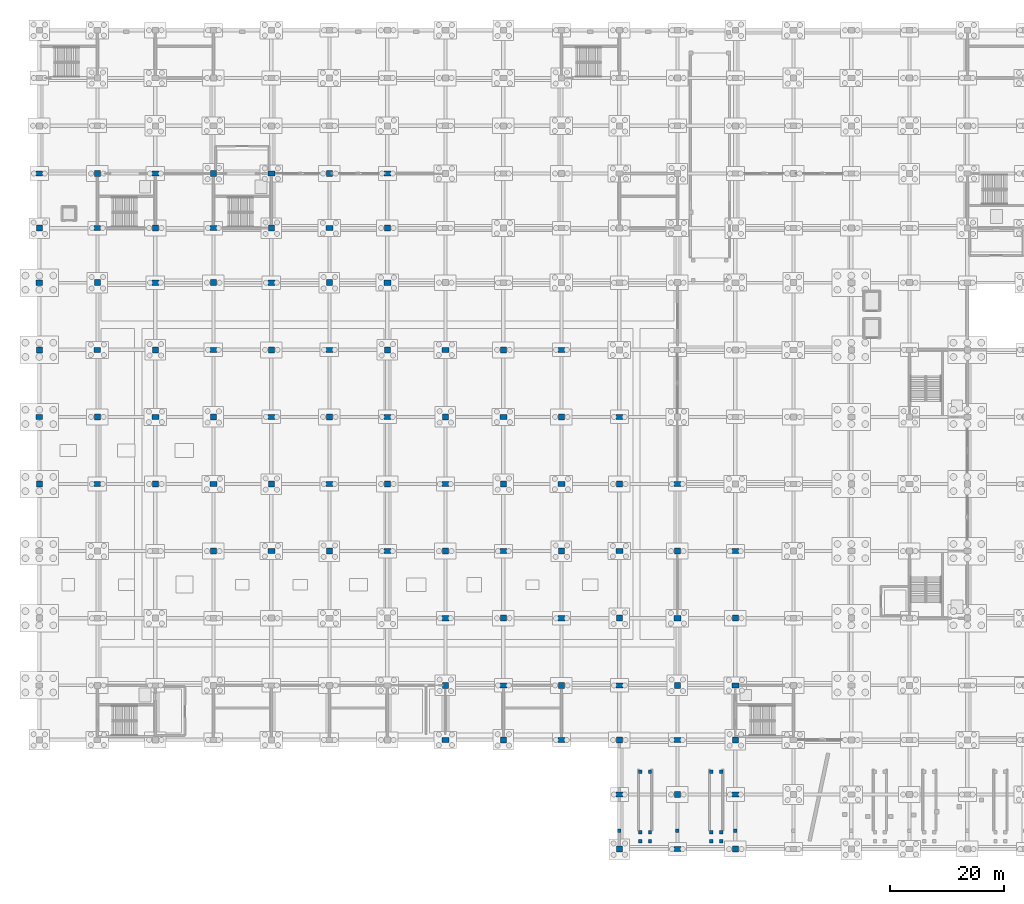
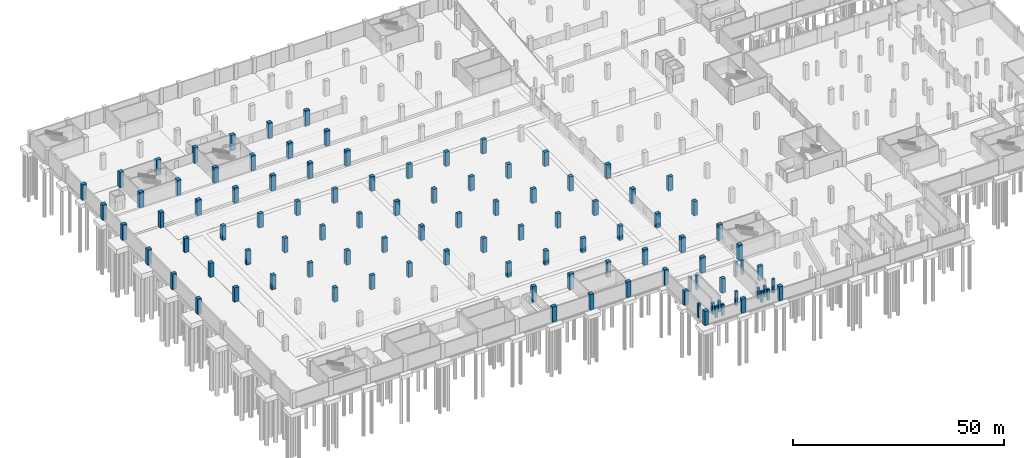
# One storey, part 22 of 52: 103 columns.
"""IFC4 building model written with IfcOpenShell, lengths in metres."""

from ifc_helpers import new_model, si_unit, direction, frame, origin, origin_2d, place, context, subcontext, project, spatial, rectangle, extrude, material, material_profile, profile_set, type_object, element, save


model = new_model("IFC4")

# Units and contexts
model_context = context("Model", 3, precision=1e-05, world=origin(), true_north=direction((0.0, 1.0)))
body_context = subcontext(model_context, "Body", "Model", "MODEL_VIEW")
ifc_project = project(units=[si_unit("LENGTHUNIT", "METRE"), si_unit("AREAUNIT", "SQUARE_METRE"), si_unit("VOLUMEUNIT", "CUBIC_METRE"), si_unit("PLANEANGLEUNIT", "RADIAN"), si_unit("MASSUNIT", "GRAM", prefix="KILO")], contexts=[model_context])

# Site, building, storey
site_placement = place(None, origin())
site = spatial("IfcSite", under=ifc_project, at=site_placement, CompositionType="ELEMENT")
building_placement = place(site_placement, origin())
building = spatial("IfcBuilding", under=site, at=building_placement, Name="Brelvane Convention Centre", CompositionType="ELEMENT")
storey_placement = place(building_placement, frame((0.0, 0.0, -4.5)))
storey = spatial("IfcBuildingStorey", under=building, at=storey_placement, Name="B1", CompositionType="ELEMENT", Elevation=-4.5)

# Columns
ifc_material_1 = material(Name="Concrete M50", Category="concrete")
ifc_material_profile_1 = material_profile(ifc_material_1, rectangle(XDim=1.050048828125, YDim=1.050048828125, at=origin_2d()), Name="RC 1050x1050")
ifc_profile_set_1 = profile_set([ifc_material_profile_1], Name="Concrete M50")
column_type_1 = type_object("IfcColumnType", Name="RC Column C-RC1 (RC 1050x1050)", PredefinedType="COLUMN", material=ifc_profile_set_1)
for number, where, z_axis, x_axis, name in (
    (1, (0.0, 64.199951171875, 0.0), (0.0, 0.0, 1.0), (1.0, 0.0, 0.0), "Column 1-G (B1)"),
    (2, (0.0, 87.800048828125, 0.0), (0.0, 0.0, 1.0), (1.0, 0.0, 0.0), "Column 1-J (B1)"),
    (3, (0.0, 109.199951171875, 0.0), (0.0, 0.0, 1.0), (1.0, 0.0, 0.0), "Column 1-L (B1)"),
):
    element("IfcColumn", number, at=place(storey_placement, frame(where, z_axis=z_axis, x_axis=x_axis)), inside=storey, type_object=column_type_1, Name=name, PredefinedType="COLUMN", context=body_context, shape_type="SweptSolid", body=[
        extrude(rectangle(XDim=1.050048828125, YDim=1.050048828125, at=origin_2d()), origin(), (0.0, 0.0, 1.0), 4.5),
    ])
column_1_placement = place(storey_placement, frame((10.199951171875, 76.0, 0.0), z_axis=(0.0, 0.0, 1.0), x_axis=(1.0, 0.0, 0.0)))
element("IfcColumn", 4, at=column_1_placement, inside=storey, type_object=column_type_1, Name="Column 2-H (B1)", PredefinedType="COLUMN", context=body_context, shape_type="SweptSolid", body=[
    extrude(rectangle(XDim=1.050048828125, YDim=1.050048828125, at=origin_2d()), origin(), (0.0, 0.0, 1.0), 4.1201171875),
])
for number, where, z_axis, x_axis, name in (
    (5, (10.199951171875, 99.60009765625, 0.0), (0.0, 0.0, 1.0), (1.0, 0.0, 0.0), "Column 2-K (B1)"),
    (6, (10.199951171875, 118.800048828125, 0.0), (0.0, 0.0, 1.0), (1.0, 0.0, 0.0), "Column 2-M (B1)"),
):
    element("IfcColumn", number, at=place(storey_placement, frame(where, z_axis=z_axis, x_axis=x_axis)), inside=storey, type_object=column_type_1, Name=name, PredefinedType="COLUMN", context=body_context, shape_type="SweptSolid", body=[
        extrude(rectangle(XDim=1.050048828125, YDim=1.050048828125, at=origin_2d()), origin(), (0.0, 0.0, 1.0), 4.5),
    ])
for number, where, z_axis, x_axis, name in (
    (7, (20.39990234375, 64.199951171875, 0.0), (0.0, 0.0, 1.0), (1.0, 0.0, 0.0), "Column 3-G (B1)"),
    (8, (20.39990234375, 87.800048828125, 0.0), (0.0, 0.0, 1.0), (1.0, 0.0, 0.0), "Column 3-J (B1)"),
):
    element("IfcColumn", number, at=place(storey_placement, frame(where, z_axis=z_axis, x_axis=x_axis)), inside=storey, type_object=column_type_1, Name=name, PredefinedType="COLUMN", context=body_context, shape_type="SweptSolid", body=[
        extrude(rectangle(XDim=1.050048828125, YDim=1.050048828125, at=origin_2d()), origin(), (0.0, 0.0, 1.0), 4.1201171875),
    ])
column_2_placement = place(storey_placement, frame((20.39990234375, 109.199951171875, 0.0), z_axis=(0.0, 0.0, 1.0), x_axis=(1.0, 0.0, 0.0)))
element("IfcColumn", 9, at=column_2_placement, inside=storey, type_object=column_type_1, Name="Column 3-L (B1)", PredefinedType="COLUMN", context=body_context, shape_type="SweptSolid", body=[
    extrude(rectangle(XDim=1.050048828125, YDim=1.050048828125, at=origin_2d()), origin(), (0.0, 0.0, 1.0), 4.5),
])
for number, where, z_axis, x_axis, name in (
    (10, (30.60009765625, 52.39990234375, 0.0), (0.0, 0.0, 1.0), (1.0, 0.0, 0.0), "Column 4-F (B1)"),
    (11, (30.60009765625, 76.0, 0.0), (0.0, 0.0, 1.0), (1.0, 0.0, 0.0), "Column 4-H (B1)"),
):
    element("IfcColumn", number, at=place(storey_placement, frame(where, z_axis=z_axis, x_axis=x_axis)), inside=storey, type_object=column_type_1, Name=name, PredefinedType="COLUMN", context=body_context, shape_type="SweptSolid", body=[
        extrude(rectangle(XDim=1.050048828125, YDim=1.050048828125, at=origin_2d()), origin(), (0.0, 0.0, 1.0), 4.1201171875),
    ])
for number, where, z_axis, x_axis, name in (
    (12, (30.60009765625, 99.60009765625, 0.0), (0.0, 0.0, 1.0), (1.0, 0.0, 0.0), "Column 4-K (B1)"),
    (13, (30.60009765625, 118.800048828125, 0.0), (0.0, 0.0, 1.0), (1.0, 0.0, 0.0), "Column 4-M (B1)"),
):
    element("IfcColumn", number, at=place(storey_placement, frame(where, z_axis=z_axis, x_axis=x_axis)), inside=storey, type_object=column_type_1, Name=name, PredefinedType="COLUMN", context=body_context, shape_type="SweptSolid", body=[
        extrude(rectangle(XDim=1.050048828125, YDim=1.050048828125, at=origin_2d()), origin(), (0.0, 0.0, 1.0), 4.5),
    ])
for number, where, z_axis, x_axis, name in (
    (14, (40.800048828125, 64.199951171875, 0.0), (0.0, 0.0, 1.0), (1.0, 0.0, 0.0), "Column 5-G (B1)"),
    (15, (40.800048828125, 87.800048828125, 0.0), (0.0, 0.0, 1.0), (1.0, 0.0, 0.0), "Column 5-J (B1)"),
):
    element("IfcColumn", number, at=place(storey_placement, frame(where, z_axis=z_axis, x_axis=x_axis)), inside=storey, type_object=column_type_1, Name=name, PredefinedType="COLUMN", context=body_context, shape_type="SweptSolid", body=[
        extrude(rectangle(XDim=1.050048828125, YDim=1.050048828125, at=origin_2d()), origin(), (0.0, 0.0, 1.0), 4.1201171875),
    ])
column_3_placement = place(storey_placement, frame((40.800048828125, 109.199951171875, 0.0), z_axis=(0.0, 0.0, 1.0), x_axis=(1.0, 0.0, 0.0)))
element("IfcColumn", 16, at=column_3_placement, inside=storey, type_object=column_type_1, Name="Column 5-L (B1)", PredefinedType="COLUMN", context=body_context, shape_type="SweptSolid", body=[
    extrude(rectangle(XDim=1.050048828125, YDim=1.050048828125, at=origin_2d()), origin(), (0.0, 0.0, 1.0), 4.5),
])
for number, where, z_axis, x_axis, name in (
    (17, (51.0, 52.39990234375, 0.0), (0.0, 0.0, 1.0), (1.0, 0.0, 0.0), "Column 6-F (B1)"),
    (18, (51.0, 76.0, 0.0), (0.0, 0.0, 1.0), (1.0, 0.0, 0.0), "Column 6-H (B1)"),
):
    element("IfcColumn", number, at=place(storey_placement, frame(where, z_axis=z_axis, x_axis=x_axis)), inside=storey, type_object=column_type_1, Name=name, PredefinedType="COLUMN", context=body_context, shape_type="SweptSolid", body=[
        extrude(rectangle(XDim=1.050048828125, YDim=1.050048828125, at=origin_2d()), origin(), (0.0, 0.0, 1.0), 4.1201171875),
    ])
for number, where, z_axis, x_axis, name in (
    (19, (51.0, 99.60009765625, 0.0), (0.0, 0.0, 1.0), (1.0, 0.0, 0.0), "Column 6-K (B1)"),
    (20, (51.0, 118.800048828125, 0.0), (0.0, 0.0, 1.0), (1.0, 0.0, 0.0), "Column 6-M (B1)"),
):
    element("IfcColumn", number, at=place(storey_placement, frame(where, z_axis=z_axis, x_axis=x_axis)), inside=storey, type_object=column_type_1, Name=name, PredefinedType="COLUMN", context=body_context, shape_type="SweptSolid", body=[
        extrude(rectangle(XDim=1.050048828125, YDim=1.050048828125, at=origin_2d()), origin(), (0.0, 0.0, 1.0), 4.5),
    ])
for number, where, z_axis, x_axis, name in (
    (21, (61.199951171875, 64.199951171875, 0.0), (0.0, 0.0, 1.0), (1.0, 0.0, 0.0), "Column 7-G (B1)"),
    (22, (61.199951171875, 87.800048828125, 0.0), (0.0, 0.0, 1.0), (1.0, 0.0, 0.0), "Column 7-J (B1)"),
):
    element("IfcColumn", number, at=place(storey_placement, frame(where, z_axis=z_axis, x_axis=x_axis)), inside=storey, type_object=column_type_1, Name=name, PredefinedType="COLUMN", context=body_context, shape_type="SweptSolid", body=[
        extrude(rectangle(XDim=1.050048828125, YDim=1.050048828125, at=origin_2d()), origin(), (0.0, 0.0, 1.0), 4.1201171875),
    ])
for number, where, z_axis, x_axis, name in (
    (23, (61.199951171875, 109.199951171875, 0.0), (0.0, 0.0, 1.0), (1.0, 0.0, 0.0), "Column 7-L (B1)"),
    (24, (71.39990234375, 28.800048828125, 0.0), (0.0, 0.0, 1.0), (1.0, 0.0, 0.0), "Column 8-D (B1)"),
):
    element("IfcColumn", number, at=place(storey_placement, frame(where, z_axis=z_axis, x_axis=x_axis)), inside=storey, type_object=column_type_1, Name=name, PredefinedType="COLUMN", context=body_context, shape_type="SweptSolid", body=[
        extrude(rectangle(XDim=1.050048828125, YDim=1.050048828125, at=origin_2d()), origin(), (0.0, 0.0, 1.0), 4.5),
    ])
for number, where, z_axis, x_axis, name in (
    (25, (71.39990234375, 52.39990234375, 0.0), (0.0, 0.0, 1.0), (1.0, 0.0, 0.0), "Column 8-F (B1)"),
    (26, (71.39990234375, 76.0, 0.0), (0.0, 0.0, 1.0), (1.0, 0.0, 0.0), "Column 8-H (B1)"),
):
    element("IfcColumn", number, at=place(storey_placement, frame(where, z_axis=z_axis, x_axis=x_axis)), inside=storey, type_object=column_type_1, Name=name, PredefinedType="COLUMN", context=body_context, shape_type="SweptSolid", body=[
        extrude(rectangle(XDim=1.050048828125, YDim=1.050048828125, at=origin_2d()), origin(), (0.0, 0.0, 1.0), 4.1201171875),
    ])
column_4_placement = place(storey_placement, frame((81.60009765625, 19.199951171875, 0.0), z_axis=(0.0, 0.0, 1.0), x_axis=(1.0, 0.0, 0.0)))
element("IfcColumn", 27, at=column_4_placement, inside=storey, type_object=column_type_1, Name="Column 9-C (B1)", PredefinedType="COLUMN", context=body_context, shape_type="SweptSolid", body=[
    extrude(rectangle(XDim=1.050048828125, YDim=1.050048828125, at=origin_2d()), origin(), (0.0, 0.0, 1.0), 4.5),
])
for number, where, z_axis, x_axis, name in (
    (28, (81.60009765625, 40.60009765625, 0.0), (0.0, 0.0, 1.0), (1.0, 0.0, 0.0), "Column 9-E (B1)"),
    (29, (81.60009765625, 64.199951171875, 0.0), (0.0, 0.0, 1.0), (1.0, 0.0, 0.0), "Column 9-G (B1)"),
    (30, (81.60009765625, 87.800048828125, 0.0), (0.0, 0.0, 1.0), (1.0, 0.0, 0.0), "Column 9-J (B1)"),
):
    element("IfcColumn", number, at=place(storey_placement, frame(where, z_axis=z_axis, x_axis=x_axis)), inside=storey, type_object=column_type_1, Name=name, PredefinedType="COLUMN", context=body_context, shape_type="SweptSolid", body=[
        extrude(rectangle(XDim=1.050048828125, YDim=1.050048828125, at=origin_2d()), origin(), (0.0, 0.0, 1.0), 4.1201171875),
    ])
column_5_placement = place(storey_placement, frame((91.800048828125, 28.800048828125, 0.0), z_axis=(0.0, 0.0, 1.0), x_axis=(1.0, 0.0, 0.0)))
element("IfcColumn", 31, at=column_5_placement, inside=storey, type_object=column_type_1, Name="Column 10-D (B1)", PredefinedType="COLUMN", context=body_context, shape_type="SweptSolid", body=[
    extrude(rectangle(XDim=1.050048828125, YDim=1.050048828125, at=origin_2d()), origin(), (0.0, 0.0, 1.0), 4.5),
])
for number, where, z_axis, x_axis, name in (
    (32, (91.800048828125, 52.39990234375, 0.0), (0.0, 0.0, 1.0), (1.0, 0.0, 0.0), "Column 10-F (B1)"),
    (33, (91.800048828125, 76.0, 0.0), (0.0, 0.0, 1.0), (1.0, 0.0, 0.0), "Column 10-H (B1)"),
):
    element("IfcColumn", number, at=place(storey_placement, frame(where, z_axis=z_axis, x_axis=x_axis)), inside=storey, type_object=column_type_1, Name=name, PredefinedType="COLUMN", context=body_context, shape_type="SweptSolid", body=[
        extrude(rectangle(XDim=1.050048828125, YDim=1.050048828125, at=origin_2d()), origin(), (0.0, 0.0, 1.0), 4.1201171875),
    ])
column_6_placement = place(storey_placement, frame((102.0, 0.0, 0.0), z_axis=(0.0, 0.0, 1.0), x_axis=(1.0, 0.0, 0.0)))
element("IfcColumn", 34, at=column_6_placement, inside=storey, type_object=column_type_1, Name="Column 11-A (B1)", PredefinedType="COLUMN", context=body_context, shape_type="SweptSolid", body=[
    extrude(rectangle(XDim=1.050048828125, YDim=1.050048828125, at=origin_2d()), origin(), (0.0, 0.0, 1.0), 4.10009765625),
])
column_7_placement = place(storey_placement, frame((102.0, 19.199951171875, 0.0), z_axis=(0.0, 0.0, 1.0), x_axis=(1.0, 0.0, 0.0)))
element("IfcColumn", 35, at=column_7_placement, inside=storey, type_object=column_type_1, Name="Column 11-C (B1)", PredefinedType="COLUMN", context=body_context, shape_type="SweptSolid", body=[
    extrude(rectangle(XDim=1.050048828125, YDim=1.050048828125, at=origin_2d()), origin(), (0.0, 0.0, 1.0), 4.5),
])
for number, where, z_axis, x_axis, name in (
    (36, (102.0, 40.60009765625, 0.0), (0.0, 0.0, 1.0), (1.0, 0.0, 0.0), "Column 11-E (B1)"),
    (37, (102.0, 64.199951171875, 0.0), (0.0, 0.0, 1.0), (1.0, 0.0, 0.0), "Column 11-G (B1)"),
):
    element("IfcColumn", number, at=place(storey_placement, frame(where, z_axis=z_axis, x_axis=x_axis)), inside=storey, type_object=column_type_1, Name=name, PredefinedType="COLUMN", context=body_context, shape_type="SweptSolid", body=[
        extrude(rectangle(XDim=1.050048828125, YDim=1.050048828125, at=origin_2d()), origin(), (0.0, 0.0, 1.0), 4.1201171875),
    ])
column_8_placement = place(storey_placement, frame((112.199951171875, 9.60009765625, 0.0), z_axis=(0.0, 0.0, 1.0), x_axis=(1.0, 0.0, 0.0)))
element("IfcColumn", 38, at=column_8_placement, inside=storey, type_object=column_type_1, Name="Column 12-B (B1)", PredefinedType="COLUMN", context=body_context, shape_type="SweptSolid", body=[
    extrude(rectangle(XDim=1.050048828125, YDim=1.050048828125, at=origin_2d()), origin(), (0.0, 0.0, 1.0), 4.10009765625),
])
column_9_placement = place(storey_placement, frame((112.199951171875, 28.800048828125, 0.0), z_axis=(0.0, 0.0, 1.0), x_axis=(1.0, 0.0, 0.0)))
element("IfcColumn", 39, at=column_9_placement, inside=storey, type_object=column_type_1, Name="Column 12-D (B1)", PredefinedType="COLUMN", context=body_context, shape_type="SweptSolid", body=[
    extrude(rectangle(XDim=1.050048828125, YDim=1.050048828125, at=origin_2d()), origin(), (0.0, 0.0, 1.0), 4.5),
])
column_10_placement = place(storey_placement, frame((112.199951171875, 52.39990234375, 0.0), z_axis=(0.0, 0.0, 1.0), x_axis=(1.0, 0.0, 0.0)))
element("IfcColumn", 40, at=column_10_placement, inside=storey, type_object=column_type_1, Name="Column 12-F (B1)", PredefinedType="COLUMN", context=body_context, shape_type="SweptSolid", body=[
    extrude(rectangle(XDim=1.050048828125, YDim=1.050048828125, at=origin_2d()), origin(), (0.0, 0.0, 1.0), 4.1201171875),
])
column_11_placement = place(storey_placement, frame((122.39990234375, 0.0, 0.0), z_axis=(0.0, 0.0, 1.0), x_axis=(1.0, 0.0, 0.0)))
element("IfcColumn", 41, at=column_11_placement, inside=storey, type_object=column_type_1, Name="Column 13-A (B1)", PredefinedType="COLUMN", context=body_context, shape_type="SweptSolid", body=[
    extrude(rectangle(XDim=1.050048828125, YDim=1.050048828125, at=origin_2d()), origin(), (0.0, 0.0, 1.0), 4.10009765625),
])
column_12_placement = place(storey_placement, frame((122.39990234375, 19.199951171875, 0.0), z_axis=(0.0, 0.0, 1.0), x_axis=(1.0, 0.0, 0.0)))
element("IfcColumn", 42, at=column_12_placement, inside=storey, type_object=column_type_1, Name="Column 13-C (B1)", PredefinedType="COLUMN", context=body_context, shape_type="SweptSolid", body=[
    extrude(rectangle(XDim=1.050048828125, YDim=1.050048828125, at=origin_2d()), origin(), (0.0, 0.0, 1.0), 4.5),
])
column_13_placement = place(storey_placement, frame((122.39990234375, 40.60009765625, 0.0), z_axis=(0.0, 0.0, 1.0), x_axis=(1.0, 0.0, 0.0)))
element("IfcColumn", 43, at=column_13_placement, inside=storey, type_object=column_type_1, Name="Column 13-E (B1)", PredefinedType="COLUMN", context=body_context, shape_type="SweptSolid", body=[
    extrude(rectangle(XDim=1.050048828125, YDim=1.050048828125, at=origin_2d()), origin(), (0.0, 0.0, 1.0), 4.1201171875),
])
ifc_material_2 = material(Name="Concrete M50", Category="concrete")
ifc_material_profile_2 = material_profile(ifc_material_2, rectangle(XDim=0.60009765625, YDim=0.60009765625, at=origin_2d()), Name="RC 600x600")
ifc_profile_set_2 = profile_set([ifc_material_profile_2], Name="Concrete M50")
column_type_2 = type_object("IfcColumnType", Name="RC Column C-RC4 (RC 600x600)", PredefinedType="COLUMN", material=ifc_profile_set_2)
for number, where, z_axis, x_axis, name in (
    (44, (102.0, 3.199951171875, 0.0), (0.0, 0.0, 1.0), (1.0, 0.0, 0.0), "Plaza Step Edge Column 1"),
    (45, (112.199951171875, 3.199951171875, 0.0), (0.0, 0.0, 1.0), (1.0, 0.0, 0.0), "Plaza Step Edge Column 2"),
    (46, (122.39990234375, 3.199951171875, 0.0), (0.0, 0.0, 1.0), (1.0, 0.0, 0.0), "Plaza Step Edge Column 3"),
):
    element("IfcColumn", number, at=place(storey_placement, frame(where, z_axis=z_axis, x_axis=x_axis)), inside=storey, type_object=column_type_2, Name=name, PredefinedType="COLUMN", context=body_context, shape_type="SweptSolid", body=[
        extrude(rectangle(XDim=0.60009765625, YDim=0.60009765625, at=origin_2d()), origin(), (0.0, 0.0, 1.0), 4.10009765625),
    ])
for number, where, z_axis, x_axis, name in (
    (47, (105.64990234375, 1.35009765625, 0.0), (0.0, 0.0, 1.0), (1.0, 0.0, 0.0), "Ramp AR-01 Bottom Pedestal 1"),
    (48, (107.389892578125, 1.35009765625, 0.0), (0.0, 0.0, 1.0), (1.0, 0.0, 0.0), "Ramp AR-01 Bottom Pedestal 2"),
    (49, (105.64990234375, 2.949951171875, 0.0), (0.0, 0.0, 1.0), (1.0, 0.0, 0.0), "Ramp AR-01 Bottom Pedestal 3"),
    (50, (107.389892578125, 2.949951171875, 0.0), (0.0, 0.0, 1.0), (1.0, 0.0, 0.0), "Ramp AR-01 Bottom Pedestal 4"),
):
    element("IfcColumn", number, at=place(storey_placement, frame(where, z_axis=z_axis, x_axis=x_axis)), inside=storey, type_object=column_type_2, Name=name, PredefinedType="COLUMN", context=body_context, shape_type="SweptSolid", body=[
        extrude(rectangle(XDim=0.60009765625, YDim=0.60009765625, at=origin_2d()), origin(), (0.0, 0.0, 1.0), 3.199951171875),
    ])
for number, where, z_axis, x_axis, name in (
    (51, (105.64990234375, 13.60009765625, 0.0), (0.0, 0.0, 1.0), (1.0, 0.0, 0.0), "Ramp AR-01 Top Pedestal 1"),
    (52, (107.389892578125, 13.60009765625, 0.0), (0.0, 0.0, 1.0), (1.0, 0.0, 0.0), "Ramp AR-01 Top Pedestal 2"),
):
    element("IfcColumn", number, at=place(storey_placement, frame(where, z_axis=z_axis, x_axis=x_axis)), inside=storey, type_object=column_type_2, Name=name, PredefinedType="COLUMN", context=body_context, shape_type="SweptSolid", body=[
        extrude(rectangle(XDim=0.60009765625, YDim=0.60009765625, at=origin_2d()), origin(), (0.0, 0.0, 1.0), 4.10009765625),
    ])
for number, where, z_axis, x_axis, name in (
    (53, (118.14990234375, 1.35009765625, 0.0), (0.0, 0.0, 1.0), (1.0, 0.0, 0.0), "Ramp AR-02 Bottom Pedestal 1"),
    (54, (119.889892578125, 1.35009765625, 0.0), (0.0, 0.0, 1.0), (1.0, 0.0, 0.0), "Ramp AR-02 Bottom Pedestal 2"),
    (55, (118.14990234375, 2.949951171875, 0.0), (0.0, 0.0, 1.0), (1.0, 0.0, 0.0), "Ramp AR-02 Bottom Pedestal 3"),
    (56, (119.889892578125, 2.949951171875, 0.0), (0.0, 0.0, 1.0), (1.0, 0.0, 0.0), "Ramp AR-02 Bottom Pedestal 4"),
):
    element("IfcColumn", number, at=place(storey_placement, frame(where, z_axis=z_axis, x_axis=x_axis)), inside=storey, type_object=column_type_2, Name=name, PredefinedType="COLUMN", context=body_context, shape_type="SweptSolid", body=[
        extrude(rectangle(XDim=0.60009765625, YDim=0.60009765625, at=origin_2d()), origin(), (0.0, 0.0, 1.0), 3.199951171875),
    ])
for number, where, z_axis, x_axis, name in (
    (57, (118.14990234375, 13.60009765625, 0.0), (0.0, 0.0, 1.0), (1.0, 0.0, 0.0), "Ramp AR-02 Top Pedestal 1"),
    (58, (119.889892578125, 13.60009765625, 0.0), (0.0, 0.0, 1.0), (1.0, 0.0, 0.0), "Ramp AR-02 Top Pedestal 2"),
):
    element("IfcColumn", number, at=place(storey_placement, frame(where, z_axis=z_axis, x_axis=x_axis)), inside=storey, type_object=column_type_2, Name=name, PredefinedType="COLUMN", context=body_context, shape_type="SweptSolid", body=[
        extrude(rectangle(XDim=0.60009765625, YDim=0.60009765625, at=origin_2d()), origin(), (0.0, 0.0, 1.0), 4.10009765625),
    ])
ifc_material_3 = material(Name="Concrete M50", Category="concrete")
ifc_material_profile_3 = material_profile(ifc_material_3, rectangle(XDim=1.199951171875, YDim=0.89990234375, at=origin_2d()), Name="RC 1200x900")
ifc_profile_set_3 = profile_set([ifc_material_profile_3], Name="Concrete M50")
column_type_3 = type_object("IfcColumnType", Name="RC Column C-RC5 (RC 1200x900)", PredefinedType="COLUMN", material=ifc_profile_set_3)
for number, where, z_axis, x_axis, name in (
    (59, (0.0, 76.0, 0.0), (0.0, 0.0, 1.0), (1.0, 0.0, 0.0), "Column 1-H (B1)"),
    (60, (0.0, 99.60009765625, 0.0), (0.0, 0.0, 1.0), (1.0, 0.0, 0.0), "Column 1-K (B1)"),
    (61, (0.0, 118.800048828125, 0.0), (0.0, 0.0, 1.0), (1.0, 0.0, 0.0), "Column 1-M (B1)"),
):
    element("IfcColumn", number, at=place(storey_placement, frame(where, z_axis=z_axis, x_axis=x_axis)), inside=storey, type_object=column_type_3, Name=name, PredefinedType="COLUMN", context=body_context, shape_type="SweptSolid", body=[
        extrude(rectangle(XDim=1.199951171875, YDim=0.89990234375, at=origin_2d()), origin(), (0.0, 0.0, 1.0), 4.5),
    ])
for number, where, z_axis, x_axis, name in (
    (62, (10.199951171875, 64.199951171875, 0.0), (0.0, 0.0, 1.0), (1.0, 0.0, 0.0), "Column 2-G (B1)"),
    (63, (10.199951171875, 87.800048828125, 0.0), (0.0, 0.0, 1.0), (1.0, 0.0, 0.0), "Column 2-J (B1)"),
):
    element("IfcColumn", number, at=place(storey_placement, frame(where, z_axis=z_axis, x_axis=x_axis)), inside=storey, type_object=column_type_3, Name=name, PredefinedType="COLUMN", context=body_context, shape_type="SweptSolid", body=[
        extrude(rectangle(XDim=1.199951171875, YDim=0.89990234375, at=origin_2d()), origin(), (0.0, 0.0, 1.0), 4.1201171875),
    ])
column_14_placement = place(storey_placement, frame((10.199951171875, 109.199951171875, 0.0), z_axis=(0.0, 0.0, 1.0), x_axis=(1.0, 0.0, 0.0)))
element("IfcColumn", 64, at=column_14_placement, inside=storey, type_object=column_type_3, Name="Column 2-L (B1)", PredefinedType="COLUMN", context=body_context, shape_type="SweptSolid", body=[
    extrude(rectangle(XDim=1.199951171875, YDim=0.89990234375, at=origin_2d()), origin(), (0.0, 0.0, 1.0), 4.5),
])
column_15_placement = place(storey_placement, frame((20.39990234375, 76.0, 0.0), z_axis=(0.0, 0.0, 1.0), x_axis=(1.0, 0.0, 0.0)))
element("IfcColumn", 65, at=column_15_placement, inside=storey, type_object=column_type_3, Name="Column 3-H (B1)", PredefinedType="COLUMN", context=body_context, shape_type="SweptSolid", body=[
    extrude(rectangle(XDim=1.199951171875, YDim=0.89990234375, at=origin_2d()), origin(), (0.0, 0.0, 1.0), 4.1201171875),
])
for number, where, z_axis, x_axis, name in (
    (66, (20.39990234375, 99.60009765625, 0.0), (0.0, 0.0, 1.0), (1.0, 0.0, 0.0), "Column 3-K (B1)"),
    (67, (20.39990234375, 118.800048828125, 0.0), (0.0, 0.0, 1.0), (1.0, 0.0, 0.0), "Column 3-M (B1)"),
):
    element("IfcColumn", number, at=place(storey_placement, frame(where, z_axis=z_axis, x_axis=x_axis)), inside=storey, type_object=column_type_3, Name=name, PredefinedType="COLUMN", context=body_context, shape_type="SweptSolid", body=[
        extrude(rectangle(XDim=1.199951171875, YDim=0.89990234375, at=origin_2d()), origin(), (0.0, 0.0, 1.0), 4.5),
    ])
for number, where, z_axis, x_axis, name in (
    (68, (30.60009765625, 64.199951171875, 0.0), (0.0, 0.0, 1.0), (1.0, 0.0, 0.0), "Column 4-G (B1)"),
    (69, (30.60009765625, 87.800048828125, 0.0), (0.0, 0.0, 1.0), (1.0, 0.0, 0.0), "Column 4-J (B1)"),
):
    element("IfcColumn", number, at=place(storey_placement, frame(where, z_axis=z_axis, x_axis=x_axis)), inside=storey, type_object=column_type_3, Name=name, PredefinedType="COLUMN", context=body_context, shape_type="SweptSolid", body=[
        extrude(rectangle(XDim=1.199951171875, YDim=0.89990234375, at=origin_2d()), origin(), (0.0, 0.0, 1.0), 4.1201171875),
    ])
column_16_placement = place(storey_placement, frame((30.60009765625, 109.199951171875, 0.0), z_axis=(0.0, 0.0, 1.0), x_axis=(1.0, 0.0, 0.0)))
element("IfcColumn", 70, at=column_16_placement, inside=storey, type_object=column_type_3, Name="Column 4-L (B1)", PredefinedType="COLUMN", context=body_context, shape_type="SweptSolid", body=[
    extrude(rectangle(XDim=1.199951171875, YDim=0.89990234375, at=origin_2d()), origin(), (0.0, 0.0, 1.0), 4.5),
])
for number, where, z_axis, x_axis, name in (
    (71, (40.800048828125, 52.39990234375, 0.0), (0.0, 0.0, 1.0), (1.0, 0.0, 0.0), "Column 5-F (B1)"),
    (72, (40.800048828125, 76.0, 0.0), (0.0, 0.0, 1.0), (1.0, 0.0, 0.0), "Column 5-H (B1)"),
):
    element("IfcColumn", number, at=place(storey_placement, frame(where, z_axis=z_axis, x_axis=x_axis)), inside=storey, type_object=column_type_3, Name=name, PredefinedType="COLUMN", context=body_context, shape_type="SweptSolid", body=[
        extrude(rectangle(XDim=1.199951171875, YDim=0.89990234375, at=origin_2d()), origin(), (0.0, 0.0, 1.0), 4.1201171875),
    ])
for number, where, z_axis, x_axis, name in (
    (73, (40.800048828125, 99.60009765625, 0.0), (0.0, 0.0, 1.0), (1.0, 0.0, 0.0), "Column 5-K (B1)"),
    (74, (40.800048828125, 118.800048828125, 0.0), (0.0, 0.0, 1.0), (1.0, 0.0, 0.0), "Column 5-M (B1)"),
):
    element("IfcColumn", number, at=place(storey_placement, frame(where, z_axis=z_axis, x_axis=x_axis)), inside=storey, type_object=column_type_3, Name=name, PredefinedType="COLUMN", context=body_context, shape_type="SweptSolid", body=[
        extrude(rectangle(XDim=1.199951171875, YDim=0.89990234375, at=origin_2d()), origin(), (0.0, 0.0, 1.0), 4.5),
    ])
for number, where, z_axis, x_axis, name in (
    (75, (51.0, 64.199951171875, 0.0), (0.0, 0.0, 1.0), (1.0, 0.0, 0.0), "Column 6-G (B1)"),
    (76, (51.0, 87.800048828125, 0.0), (0.0, 0.0, 1.0), (1.0, 0.0, 0.0), "Column 6-J (B1)"),
):
    element("IfcColumn", number, at=place(storey_placement, frame(where, z_axis=z_axis, x_axis=x_axis)), inside=storey, type_object=column_type_3, Name=name, PredefinedType="COLUMN", context=body_context, shape_type="SweptSolid", body=[
        extrude(rectangle(XDim=1.199951171875, YDim=0.89990234375, at=origin_2d()), origin(), (0.0, 0.0, 1.0), 4.1201171875),
    ])
column_17_placement = place(storey_placement, frame((51.0, 109.199951171875, 0.0), z_axis=(0.0, 0.0, 1.0), x_axis=(1.0, 0.0, 0.0)))
element("IfcColumn", 77, at=column_17_placement, inside=storey, type_object=column_type_3, Name="Column 6-L (B1)", PredefinedType="COLUMN", context=body_context, shape_type="SweptSolid", body=[
    extrude(rectangle(XDim=1.199951171875, YDim=0.89990234375, at=origin_2d()), origin(), (0.0, 0.0, 1.0), 4.5),
])
for number, where, z_axis, x_axis, name in (
    (78, (61.199951171875, 52.39990234375, 0.0), (0.0, 0.0, 1.0), (1.0, 0.0, 0.0), "Column 7-F (B1)"),
    (79, (61.199951171875, 76.0, 0.0), (0.0, 0.0, 1.0), (1.0, 0.0, 0.0), "Column 7-H (B1)"),
):
    element("IfcColumn", number, at=place(storey_placement, frame(where, z_axis=z_axis, x_axis=x_axis)), inside=storey, type_object=column_type_3, Name=name, PredefinedType="COLUMN", context=body_context, shape_type="SweptSolid", body=[
        extrude(rectangle(XDim=1.199951171875, YDim=0.89990234375, at=origin_2d()), origin(), (0.0, 0.0, 1.0), 4.1201171875),
    ])
for number, where, z_axis, x_axis, name in (
    (80, (61.199951171875, 99.60009765625, 0.0), (0.0, 0.0, 1.0), (1.0, 0.0, 0.0), "Column 7-K (B1)"),
    (81, (61.199951171875, 118.800048828125, 0.0), (0.0, 0.0, 1.0), (1.0, 0.0, 0.0), "Column 7-M (B1)"),
    (82, (71.39990234375, 19.199951171875, 0.0), (0.0, 0.0, 1.0), (1.0, 0.0, 0.0), "Column 8-C (B1)"),
):
    element("IfcColumn", number, at=place(storey_placement, frame(where, z_axis=z_axis, x_axis=x_axis)), inside=storey, type_object=column_type_3, Name=name, PredefinedType="COLUMN", context=body_context, shape_type="SweptSolid", body=[
        extrude(rectangle(XDim=1.199951171875, YDim=0.89990234375, at=origin_2d()), origin(), (0.0, 0.0, 1.0), 4.5),
    ])
for number, where, z_axis, x_axis, name in (
    (83, (71.39990234375, 40.60009765625, 0.0), (0.0, 0.0, 1.0), (1.0, 0.0, 0.0), "Column 8-E (B1)"),
    (84, (71.39990234375, 64.199951171875, 0.0), (0.0, 0.0, 1.0), (1.0, 0.0, 0.0), "Column 8-G (B1)"),
    (85, (71.39990234375, 87.800048828125, 0.0), (0.0, 0.0, 1.0), (1.0, 0.0, 0.0), "Column 8-J (B1)"),
):
    element("IfcColumn", number, at=place(storey_placement, frame(where, z_axis=z_axis, x_axis=x_axis)), inside=storey, type_object=column_type_3, Name=name, PredefinedType="COLUMN", context=body_context, shape_type="SweptSolid", body=[
        extrude(rectangle(XDim=1.199951171875, YDim=0.89990234375, at=origin_2d()), origin(), (0.0, 0.0, 1.0), 4.1201171875),
    ])
column_18_placement = place(storey_placement, frame((81.60009765625, 28.800048828125, 0.0), z_axis=(0.0, 0.0, 1.0), x_axis=(1.0, 0.0, 0.0)))
element("IfcColumn", 86, at=column_18_placement, inside=storey, type_object=column_type_3, Name="Column 9-D (B1)", PredefinedType="COLUMN", context=body_context, shape_type="SweptSolid", body=[
    extrude(rectangle(XDim=1.199951171875, YDim=0.89990234375, at=origin_2d()), origin(), (0.0, 0.0, 1.0), 4.5),
])
for number, where, z_axis, x_axis, name in (
    (87, (81.60009765625, 52.39990234375, 0.0), (0.0, 0.0, 1.0), (1.0, 0.0, 0.0), "Column 9-F (B1)"),
    (88, (81.60009765625, 76.0, 0.0), (0.0, 0.0, 1.0), (1.0, 0.0, 0.0), "Column 9-H (B1)"),
):
    element("IfcColumn", number, at=place(storey_placement, frame(where, z_axis=z_axis, x_axis=x_axis)), inside=storey, type_object=column_type_3, Name=name, PredefinedType="COLUMN", context=body_context, shape_type="SweptSolid", body=[
        extrude(rectangle(XDim=1.199951171875, YDim=0.89990234375, at=origin_2d()), origin(), (0.0, 0.0, 1.0), 4.1201171875),
    ])
column_19_placement = place(storey_placement, frame((91.800048828125, 19.199951171875, 0.0), z_axis=(0.0, 0.0, 1.0), x_axis=(1.0, 0.0, 0.0)))
element("IfcColumn", 89, at=column_19_placement, inside=storey, type_object=column_type_3, Name="Column 10-C (B1)", PredefinedType="COLUMN", context=body_context, shape_type="SweptSolid", body=[
    extrude(rectangle(XDim=1.199951171875, YDim=0.89990234375, at=origin_2d()), origin(), (0.0, 0.0, 1.0), 4.5),
])
for number, where, z_axis, x_axis, name in (
    (90, (91.800048828125, 40.60009765625, 0.0), (0.0, 0.0, 1.0), (1.0, 0.0, 0.0), "Column 10-E (B1)"),
    (91, (91.800048828125, 64.199951171875, 0.0), (0.0, 0.0, 1.0), (1.0, 0.0, 0.0), "Column 10-G (B1)"),
    (92, (91.800048828125, 87.800048828125, 0.0), (0.0, 0.0, 1.0), (1.0, 0.0, 0.0), "Column 10-J (B1)"),
):
    element("IfcColumn", number, at=place(storey_placement, frame(where, z_axis=z_axis, x_axis=x_axis)), inside=storey, type_object=column_type_3, Name=name, PredefinedType="COLUMN", context=body_context, shape_type="SweptSolid", body=[
        extrude(rectangle(XDim=1.199951171875, YDim=0.89990234375, at=origin_2d()), origin(), (0.0, 0.0, 1.0), 4.1201171875),
    ])
column_20_placement = place(storey_placement, frame((102.0, 9.60009765625, 0.0), z_axis=(0.0, 0.0, 1.0), x_axis=(1.0, 0.0, 0.0)))
element("IfcColumn", 93, at=column_20_placement, inside=storey, type_object=column_type_3, Name="Column 11-B (B1)", PredefinedType="COLUMN", context=body_context, shape_type="SweptSolid", body=[
    extrude(rectangle(XDim=1.199951171875, YDim=0.89990234375, at=origin_2d()), origin(), (0.0, 0.0, 1.0), 4.10009765625),
])
column_21_placement = place(storey_placement, frame((102.0, 28.800048828125, 0.0), z_axis=(0.0, 0.0, 1.0), x_axis=(1.0, 0.0, 0.0)))
element("IfcColumn", 94, at=column_21_placement, inside=storey, type_object=column_type_3, Name="Column 11-D (B1)", PredefinedType="COLUMN", context=body_context, shape_type="SweptSolid", body=[
    extrude(rectangle(XDim=1.199951171875, YDim=0.89990234375, at=origin_2d()), origin(), (0.0, 0.0, 1.0), 4.5),
])
for number, where, z_axis, x_axis, name in (
    (95, (102.0, 52.39990234375, 0.0), (0.0, 0.0, 1.0), (1.0, 0.0, 0.0), "Column 11-F (B1)"),
    (96, (102.0, 76.0, 0.0), (0.0, 0.0, 1.0), (1.0, 0.0, 0.0), "Column 11-H (B1)"),
):
    element("IfcColumn", number, at=place(storey_placement, frame(where, z_axis=z_axis, x_axis=x_axis)), inside=storey, type_object=column_type_3, Name=name, PredefinedType="COLUMN", context=body_context, shape_type="SweptSolid", body=[
        extrude(rectangle(XDim=1.199951171875, YDim=0.89990234375, at=origin_2d()), origin(), (0.0, 0.0, 1.0), 4.1201171875),
    ])
column_22_placement = place(storey_placement, frame((112.199951171875, 0.0, 0.0), z_axis=(0.0, 0.0, 1.0), x_axis=(1.0, 0.0, 0.0)))
element("IfcColumn", 97, at=column_22_placement, inside=storey, type_object=column_type_3, Name="Column 12-A (B1)", PredefinedType="COLUMN", context=body_context, shape_type="SweptSolid", body=[
    extrude(rectangle(XDim=1.199951171875, YDim=0.89990234375, at=origin_2d()), origin(), (0.0, 0.0, 1.0), 4.10009765625),
])
column_23_placement = place(storey_placement, frame((112.199951171875, 19.199951171875, 0.0), z_axis=(0.0, 0.0, 1.0), x_axis=(1.0, 0.0, 0.0)))
element("IfcColumn", 98, at=column_23_placement, inside=storey, type_object=column_type_3, Name="Column 12-C (B1)", PredefinedType="COLUMN", context=body_context, shape_type="SweptSolid", body=[
    extrude(rectangle(XDim=1.199951171875, YDim=0.89990234375, at=origin_2d()), origin(), (0.0, 0.0, 1.0), 4.5),
])
for number, where, z_axis, x_axis, name in (
    (99, (112.199951171875, 40.60009765625, 0.0), (0.0, 0.0, 1.0), (1.0, 0.0, 0.0), "Column 12-E (B1)"),
    (100, (112.199951171875, 64.199951171875, 0.0), (0.0, 0.0, 1.0), (1.0, 0.0, 0.0), "Column 12-G (B1)"),
):
    element("IfcColumn", number, at=place(storey_placement, frame(where, z_axis=z_axis, x_axis=x_axis)), inside=storey, type_object=column_type_3, Name=name, PredefinedType="COLUMN", context=body_context, shape_type="SweptSolid", body=[
        extrude(rectangle(XDim=1.199951171875, YDim=0.89990234375, at=origin_2d()), origin(), (0.0, 0.0, 1.0), 4.1201171875),
    ])
column_24_placement = place(storey_placement, frame((122.39990234375, 9.60009765625, 0.0), z_axis=(0.0, 0.0, 1.0), x_axis=(1.0, 0.0, 0.0)))
element("IfcColumn", 101, at=column_24_placement, inside=storey, type_object=column_type_3, Name="Column 13-B (B1)", PredefinedType="COLUMN", context=body_context, shape_type="SweptSolid", body=[
    extrude(rectangle(XDim=1.199951171875, YDim=0.89990234375, at=origin_2d()), origin(), (0.0, 0.0, 1.0), 4.10009765625),
])
column_25_placement = place(storey_placement, frame((122.39990234375, 28.800048828125, 0.0), z_axis=(0.0, 0.0, 1.0), x_axis=(1.0, 0.0, 0.0)))
element("IfcColumn", 102, at=column_25_placement, inside=storey, type_object=column_type_3, Name="Column 13-D (B1)", PredefinedType="COLUMN", context=body_context, shape_type="SweptSolid", body=[
    extrude(rectangle(XDim=1.199951171875, YDim=0.89990234375, at=origin_2d()), origin(), (0.0, 0.0, 1.0), 4.5),
])
column_26_placement = place(storey_placement, frame((122.39990234375, 52.39990234375, 0.0), z_axis=(0.0, 0.0, 1.0), x_axis=(1.0, 0.0, 0.0)))
element("IfcColumn", 103, at=column_26_placement, inside=storey, type_object=column_type_3, Name="Column 13-F (B1)", PredefinedType="COLUMN", context=body_context, shape_type="SweptSolid", body=[
    extrude(rectangle(XDim=1.199951171875, YDim=0.89990234375, at=origin_2d()), origin(), (0.0, 0.0, 1.0), 4.1201171875),
])

save(model, "model.ifc")
